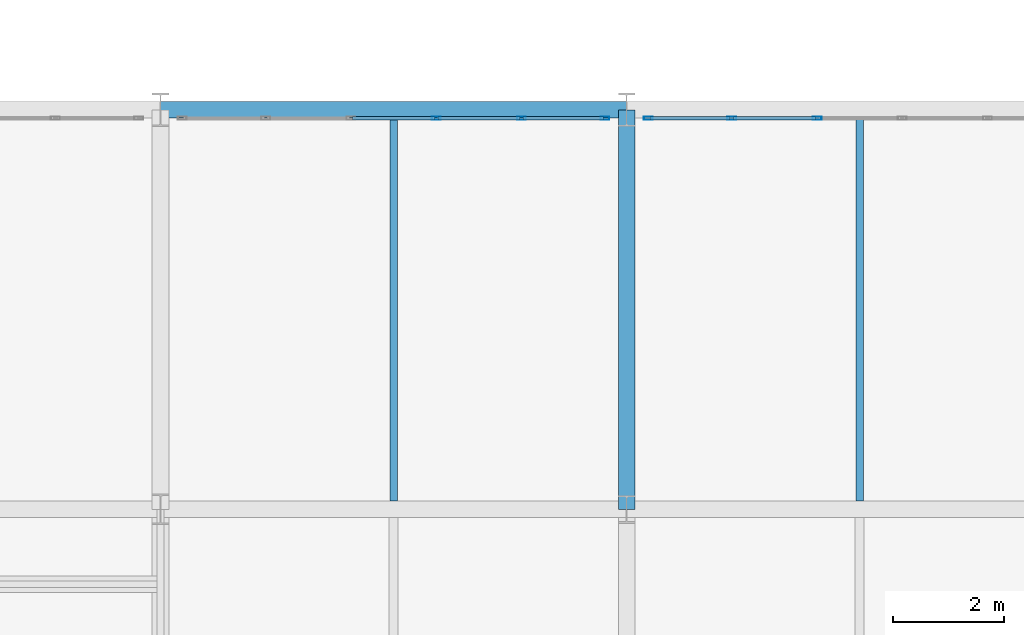
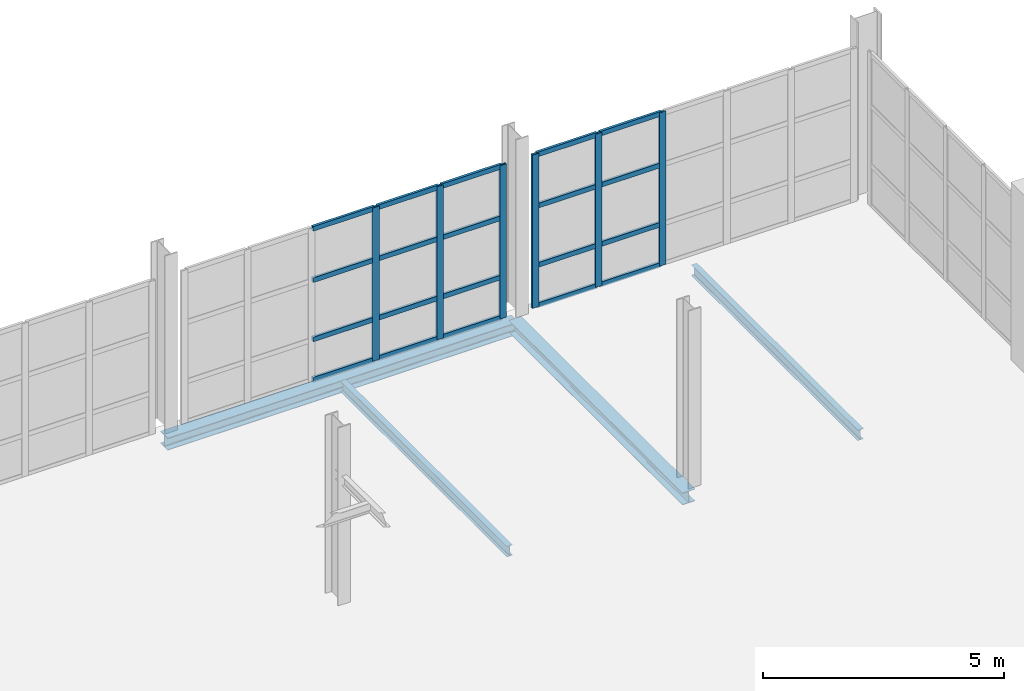
# One storey, part 20 of 109: 26 members, 4 beams, 2 elements without a shape of their own.
"""IFC4 building model written with IfcOpenShell, lengths in metres."""

import ifcopenshell
import ifcopenshell.guid

model = None  # the IFC model being written
_history = None  # IfcOwnerHistory: only IFC2X3 demands one
_inside = {}  # id of a spatial element -> (the spatial element, [elements in it])
_under = {}  # id of a project, library or spatial element -> (it, [spatial elements below it])
_declared = {}  # id of a project -> (the project, [libraries it declares])
_typed = {}  # id of a type object -> (the type object, [elements of that type])
_made_of = {}  # id of a material, layer set ... -> (it, [elements and type objects made of it])


def new_model(schema):
    """Start an empty IFC model of exactly this schema.

    Asked for "IFC4X3", IfcOpenShell would pick the latest addendum, in which some entities
    have other attributes; the version numbers below select the first issue.
    IFC2X3 requires an IfcOwnerHistory on every rooted entity: one is made here for all.
    """
    global model, _history
    if schema == "IFC4X3":
        model = ifcopenshell.file(schema_version=(4, 3, 0, 0))
    else:
        model = ifcopenshell.file(schema=schema)
    _inside.clear()
    _under.clear()
    _declared.clear()
    _typed.clear()
    _made_of.clear()
    _history = None
    if model.schema == "IFC2X3":
        org = make("IfcOrganization", Name="unknown")
        user = make(
            "IfcPersonAndOrganization",
            ThePerson=make("IfcPerson", FamilyName="unknown"),
            TheOrganization=org,
        )
        app = make(
            "IfcApplication",
            ApplicationDeveloper=org,
            Version="unknown",
            ApplicationFullName="unknown",
            ApplicationIdentifier="unknown",
        )
        _history = make(
            "IfcOwnerHistory",
            OwningUser=user,
            OwningApplication=app,
            ChangeAction="ADDED",
            CreationDate=0,
        )
    return model


def make(cls, **values):
    """One entity of the class cls with the attributes given. An attribute that is None is left unset."""
    return model.create_entity(
        cls, **{name: value for name, value in values.items() if value is not None}
    )


def rooted(cls, **values):
    """An entity with a GlobalId (a new one), such as an element, a storey or a relation."""
    return make(cls, GlobalId=ifcopenshell.guid.new(), OwnerHistory=_history, **values)


def si_unit(unit_type, name, prefix=None):
    """IfcSIUnit, for example si_unit("LENGTHUNIT", "METRE", prefix="MILLI")."""
    return make("IfcSIUnit", UnitType=unit_type, Prefix=prefix, Name=name)


def assignment(units):
    """IfcUnitAssignment: the units of a project."""
    return None if units is None else make("IfcUnitAssignment", Units=units)


def point(xyz):
    """IfcCartesianPoint."""
    return None if xyz is None else make("IfcCartesianPoint", Coordinates=xyz)


def direction(xyz):
    """IfcDirection."""
    return None if xyz is None else make("IfcDirection", DirectionRatios=xyz)


def frame(location, z_axis=None, x_axis=None):
    """IfcAxis2Placement3D, a coordinate frame: its origin and axes. An axis left out is left unset."""
    return make(
        "IfcAxis2Placement3D",
        Location=point(location),
        Axis=direction(z_axis),
        RefDirection=direction(x_axis),
    )


def frame_2d(location, x_axis=None):
    """IfcAxis2Placement2D, a coordinate frame in the plane: its origin and x axis."""
    return make(
        "IfcAxis2Placement2D", Location=point(location), RefDirection=direction(x_axis)
    )


def origin():
    """The frame at (0, 0, 0) with its axes left unset."""
    return frame((0.0, 0.0, 0.0))


def origin_2d():
    """The frame at (0, 0) in the plane with its x axis left unset."""
    return frame_2d((0.0, 0.0))


def place(relative_to, where):
    """IfcLocalPlacement: puts the frame where relative to a parent placement (None: the world)."""
    return make(
        "IfcLocalPlacement", PlacementRelTo=relative_to, RelativePlacement=where
    )


def context(
    kind, dimensions, precision=None, world=None, true_north=None, identifier=None
):
    """IfcGeometricRepresentationContext, for example the 3D "Model" context."""
    return make(
        "IfcGeometricRepresentationContext",
        ContextIdentifier=identifier,
        ContextType=kind,
        CoordinateSpaceDimension=dimensions,
        Precision=precision,
        WorldCoordinateSystem=world,
        TrueNorth=true_north,
    )


def subcontext(parent, identifier, kind, view, scale=None):
    """IfcGeometricRepresentationSubContext, for example "Body" below "Model"."""
    return make(
        "IfcGeometricRepresentationSubContext",
        ContextIdentifier=identifier,
        ContextType=kind,
        ParentContext=parent,
        TargetScale=scale,
        TargetView=view,
    )


def project(units=None, contexts=None):
    """IfcProject with its units and contexts."""
    return rooted(
        "IfcProject",
        Name="project",
        RepresentationContexts=contexts,
        UnitsInContext=assignment(units),
    )


def spatial(cls, under=None, at=None, **own):
    """A site, building, storey or space (cls), placed at a placement, below another one or the project."""
    s = rooted(cls, ObjectPlacement=at, **own)
    if under is not None:
        _under.setdefault(under.id(), (under, []))[1].append(s)
    return s


def profile(cls, at=None, kind="AREA", **sizes):
    """A parametric profile (cls). Its sizes go by their IFC names, for example OverallWidth=200.0."""
    return make(cls, ProfileType=kind, Position=at, **sizes)


def hollow_rectangle(**sizes):
    """IfcRectangleHollowProfileDef."""
    return profile("IfcRectangleHollowProfileDef", **sizes)


def i_section(**sizes):
    """IfcIShapeProfileDef."""
    return profile("IfcIShapeProfileDef", **sizes)


def extrude(swept, where, along, depth):
    """IfcExtrudedAreaSolid: the profile swept, set in the frame where, extruded along a direction by depth."""
    return make(
        "IfcExtrudedAreaSolid",
        SweptArea=swept,
        Position=where,
        ExtrudedDirection=direction(along),
        Depth=depth,
    )


def shape(context_of_items, identifier, shape_type, items):
    """IfcShapeRepresentation: the items that make up one representation, for example the "Body"."""
    return make(
        "IfcShapeRepresentation",
        ContextOfItems=context_of_items,
        RepresentationIdentifier=identifier,
        RepresentationType=shape_type,
        Items=items,
    )


def material(Name=None, Category=None):
    """IfcMaterial."""
    return make("IfcMaterial", Name=Name, Category=Category)


def material_profile(
    of_material, cross_section, Name=None, Category=None, Priority=None
):
    """IfcMaterialProfile: a cross section and its material."""
    return make(
        "IfcMaterialProfile",
        Name=Name,
        Material=of_material,
        Profile=cross_section,
        Priority=Priority,
        Category=Category,
    )


def profile_set(profiles, Name=None, composite=None):
    """IfcMaterialProfileSet."""
    return make(
        "IfcMaterialProfileSet",
        Name=Name,
        MaterialProfiles=profiles,
        CompositeProfile=composite,
    )


def made_of(thing, what):
    """Note that an element or type object is made of a material, layer set ...; save() writes the relation."""
    if what is not None:
        _made_of.setdefault(what.id(), (what, []))[1].append(thing)
    return thing


def type_object(cls, material=None, **own):
    """A type object (cls), such as IfcWallType, which elements share."""
    return made_of(rooted(cls, **own), material)


def element(
    cls,
    number,
    at=None,
    inside=None,
    cuts=None,
    type_object=None,
    material=None,
    context=None,
    identifier="Body",
    shape_type=None,
    held_by="IfcProductDefinitionShape",
    body=None,
    shapes=None,
    **own,
):
    """One element of the class cls, such as IfcWall. Its Tag is "e" and its number.

    at: its placement. inside: the storey or other place that contains it. cuts: it is an
    opening in that element (IfcRelVoidsElement). A single representation is given by context,
    identifier, shape_type and body (its items); several are given by shapes. held_by: the class
    of the entity that holds the representations. save() writes the other relations.
    """
    e = rooted(cls, Tag="e%d" % number, ObjectPlacement=at, **own)
    if body is not None:
        shapes = [shape(context, identifier, shape_type, body)]
    if shapes is not None:
        e.Representation = make(held_by, Representations=shapes)
    if inside is not None:
        _inside.setdefault(inside.id(), (inside, []))[1].append(e)
    if cuts is not None:
        rooted(
            "IfcRelVoidsElement", RelatingBuildingElement=cuts, RelatedOpeningElement=e
        )
    if type_object is not None:
        _typed.setdefault(type_object.id(), (type_object, []))[1].append(e)
    return made_of(e, material)


def aggregate(whole, parts):
    """IfcRelAggregates: a whole, such as a stair, and the parts it consists of."""
    return rooted("IfcRelAggregates", RelatingObject=whole, RelatedObjects=parts)


def save(model, path):
    """Write the relations noted so far, then the file.

    IfcRelAggregates (storeys below a building ...), IfcRelContainedInSpatialStructure (elements
    in a storey), IfcRelDefinesByType, IfcRelAssociatesMaterial and IfcRelDeclares: one each for
    every whole, place, type object, material and project.
    """
    for whole, parts in _under.values():
        aggregate(whole, parts)
    for where, things in _inside.values():
        rooted(
            "IfcRelContainedInSpatialStructure",
            RelatedElements=things,
            RelatingStructure=where,
        )
    for kind, things in _typed.values():
        rooted("IfcRelDefinesByType", RelatedObjects=things, RelatingType=kind)
    for what, things in _made_of.values():
        rooted("IfcRelAssociatesMaterial", RelatedObjects=things, RelatingMaterial=what)
    for by, libraries in _declared.values():
        rooted("IfcRelDeclares", RelatingContext=by, RelatedDefinitions=libraries)
    model.write(path)


model = new_model("IFC4")

# Units and contexts
model_context = context("Model", 3, precision=1e-05, world=origin(), true_north=direction((0.0, 1.0)))
body_context = subcontext(model_context, "Body", "Model", "MODEL_VIEW")
ifc_project = project(units=[si_unit("LENGTHUNIT", "METRE"), si_unit("AREAUNIT", "SQUARE_METRE"), si_unit("VOLUMEUNIT", "CUBIC_METRE"), si_unit("PLANEANGLEUNIT", "RADIAN"), si_unit("MASSUNIT", "GRAM", prefix="KILO")], contexts=[model_context])

# Site, building, storey
site_placement = place(None, origin())
site = spatial("IfcSite", under=ifc_project, at=site_placement, CompositionType="ELEMENT")
building_placement = place(site_placement, origin())
building = spatial("IfcBuilding", under=site, at=building_placement, Name="Veltarok Museum of Natural Sciences", CompositionType="ELEMENT")
storey_placement = place(building_placement, frame((0.0, 0.0, 17.39990234375)))
storey = spatial("IfcBuildingStorey", under=building, at=storey_placement, Name="L03", CompositionType="ELEMENT", Elevation=17.39990234375)

# Curtain wall, members
ifc_material_1 = material(Name="Low-iron triple insulated glass", Category="glass")
curtain_wall_type_1 = type_object("IfcCurtainWallType", Name="Curtain Wall System CW-BRG-N-L03-2-768x388 (Bridge North Court L03 2-3 768x388cm)", PredefinedType="NOTDEFINED", material=ifc_material_1)
curtain_wall_1_placement = place(storey_placement, origin())
curtain_wall_1 = element("IfcCurtainWall", 1, at=curtain_wall_1_placement, inside=storey, type_object=curtain_wall_type_1, Name="Curtain Wall CW-BRG-N-L03-2-768x388 CW-0044", PredefinedType="NOTDEFINED")
ifc_material_2 = material(Name="Thermally broken anodised aluminium", Category="aluminium")
ifc_material_profile_1 = material_profile(ifc_material_2, hollow_rectangle(XDim=0.06005859375, YDim=0.1201171875, WallThickness=0.0048828125, at=origin_2d()), Name="CW TRANSOM 60x120x5")
ifc_profile_set_1 = profile_set([ifc_material_profile_1], Name="Thermally broken anodised aluminium")
member_type_1 = type_object("IfcMemberType", Name="Curtain Wall Horizontal Transom 60x120x5", PredefinedType="USERDEFINED", material=ifc_profile_set_1)
member_1_placement = place(storey_placement, frame((22.780029296875, 26.25, 0.030029296875), z_axis=(-1.0, 0.0, 0.0), x_axis=(0.0, -1.0, 0.0)))
member_1 = element("IfcMember", 2, at=member_1_placement, type_object=member_type_1, Name="CW-BRG-N-L03-2-768x388 transom 1.1", ObjectType="TRANSOM", PredefinedType="USERDEFINED", context=body_context, shape_type="SweptSolid", body=[
    extrude(hollow_rectangle(XDim=0.06005859375, YDim=0.1201171875, WallThickness=0.0048828125, at=origin_2d()), origin(), (0.0, 0.0, 1.0), 1.446044921875),
])
member_2_placement = place(storey_placement, frame((22.780029296875, 26.25, 1.050048828125), z_axis=(-1.0, 0.0, 0.0), x_axis=(0.0, -1.0, 0.0)))
member_2 = element("IfcMember", 3, at=member_2_placement, type_object=member_type_1, Name="CW-BRG-N-L03-2-768x388 transom 1.2", ObjectType="TRANSOM", PredefinedType="USERDEFINED", context=body_context, shape_type="SweptSolid", body=[
    extrude(hollow_rectangle(XDim=0.06005859375, YDim=0.1201171875, WallThickness=0.0048828125, at=origin_2d()), origin(), (0.0, 0.0, 1.0), 1.446044921875),
])
member_3_placement = place(storey_placement, frame((22.780029296875, 26.25, 2.550048828125), z_axis=(-1.0, 0.0, 0.0), x_axis=(0.0, -1.0, 0.0)))
member_3 = element("IfcMember", 4, at=member_3_placement, type_object=member_type_1, Name="CW-BRG-N-L03-2-768x388 transom 1.3", ObjectType="TRANSOM", PredefinedType="USERDEFINED", context=body_context, shape_type="SweptSolid", body=[
    extrude(hollow_rectangle(XDim=0.06005859375, YDim=0.1201171875, WallThickness=0.0048828125, at=origin_2d()), origin(), (0.0, 0.0, 1.0), 1.446044921875),
])
member_4_placement = place(storey_placement, frame((22.780029296875, 26.25, 3.85009765625), z_axis=(-1.0, 0.0, 0.0), x_axis=(0.0, -1.0, 0.0)))
member_4 = element("IfcMember", 5, at=member_4_placement, type_object=member_type_1, Name="CW-BRG-N-L03-2-768x388 transom 1.4", ObjectType="TRANSOM", PredefinedType="USERDEFINED", context=body_context, shape_type="SweptSolid", body=[
    extrude(hollow_rectangle(XDim=0.06005859375, YDim=0.1201171875, WallThickness=0.0048828125, at=origin_2d()), origin(), (0.0, 0.0, 1.0), 1.446044921875),
])
member_5_placement = place(storey_placement, frame((21.27392578125, 26.25, 0.030029296875), z_axis=(-1.0, 0.0, 0.0), x_axis=(0.0, -1.0, 0.0)))
member_5 = element("IfcMember", 6, at=member_5_placement, type_object=member_type_1, Name="CW-BRG-N-L03-2-768x388 transom 2.1", ObjectType="TRANSOM", PredefinedType="USERDEFINED", context=body_context, shape_type="SweptSolid", body=[
    extrude(hollow_rectangle(XDim=0.06005859375, YDim=0.1201171875, WallThickness=0.0048828125, at=origin_2d()), origin(), (0.0, 0.0, 1.0), 1.475830078125),
])
member_6_placement = place(storey_placement, frame((21.27392578125, 26.25, 1.050048828125), z_axis=(-1.0, 0.0, 0.0), x_axis=(0.0, -1.0, 0.0)))
member_6 = element("IfcMember", 7, at=member_6_placement, type_object=member_type_1, Name="CW-BRG-N-L03-2-768x388 transom 2.2", ObjectType="TRANSOM", PredefinedType="USERDEFINED", context=body_context, shape_type="SweptSolid", body=[
    extrude(hollow_rectangle(XDim=0.06005859375, YDim=0.1201171875, WallThickness=0.0048828125, at=origin_2d()), origin(), (0.0, 0.0, 1.0), 1.475830078125),
])
member_7_placement = place(storey_placement, frame((21.27392578125, 26.25, 2.550048828125), z_axis=(-1.0, 0.0, 0.0), x_axis=(0.0, -1.0, 0.0)))
member_7 = element("IfcMember", 8, at=member_7_placement, type_object=member_type_1, Name="CW-BRG-N-L03-2-768x388 transom 2.3", ObjectType="TRANSOM", PredefinedType="USERDEFINED", context=body_context, shape_type="SweptSolid", body=[
    extrude(hollow_rectangle(XDim=0.06005859375, YDim=0.1201171875, WallThickness=0.0048828125, at=origin_2d()), origin(), (0.0, 0.0, 1.0), 1.475830078125),
])
member_8_placement = place(storey_placement, frame((21.27392578125, 26.25, 3.85009765625), z_axis=(-1.0, 0.0, 0.0), x_axis=(0.0, -1.0, 0.0)))
member_8 = element("IfcMember", 9, at=member_8_placement, type_object=member_type_1, Name="CW-BRG-N-L03-2-768x388 transom 2.4", ObjectType="TRANSOM", PredefinedType="USERDEFINED", context=body_context, shape_type="SweptSolid", body=[
    extrude(hollow_rectangle(XDim=0.06005859375, YDim=0.1201171875, WallThickness=0.0048828125, at=origin_2d()), origin(), (0.0, 0.0, 1.0), 1.475830078125),
])
member_9_placement = place(storey_placement, frame((19.738037109375, 26.25, 0.030029296875), z_axis=(-1.0, 0.0, 0.0), x_axis=(0.0, -1.0, 0.0)))
member_9 = element("IfcMember", 10, at=member_9_placement, type_object=member_type_1, Name="CW-BRG-N-L03-2-768x388 transom 3.1", ObjectType="TRANSOM", PredefinedType="USERDEFINED", context=body_context, shape_type="SweptSolid", body=[
    extrude(hollow_rectangle(XDim=0.06005859375, YDim=0.1201171875, WallThickness=0.0048828125, at=origin_2d()), origin(), (0.0, 0.0, 1.0), 1.47607421875),
])
member_10_placement = place(storey_placement, frame((19.738037109375, 26.25, 1.050048828125), z_axis=(-1.0, 0.0, 0.0), x_axis=(0.0, -1.0, 0.0)))
member_10 = element("IfcMember", 11, at=member_10_placement, type_object=member_type_1, Name="CW-BRG-N-L03-2-768x388 transom 3.2", ObjectType="TRANSOM", PredefinedType="USERDEFINED", context=body_context, shape_type="SweptSolid", body=[
    extrude(hollow_rectangle(XDim=0.06005859375, YDim=0.1201171875, WallThickness=0.0048828125, at=origin_2d()), origin(), (0.0, 0.0, 1.0), 1.47607421875),
])
member_11_placement = place(storey_placement, frame((19.738037109375, 26.25, 2.550048828125), z_axis=(-1.0, 0.0, 0.0), x_axis=(0.0, -1.0, 0.0)))
member_11 = element("IfcMember", 12, at=member_11_placement, type_object=member_type_1, Name="CW-BRG-N-L03-2-768x388 transom 3.3", ObjectType="TRANSOM", PredefinedType="USERDEFINED", context=body_context, shape_type="SweptSolid", body=[
    extrude(hollow_rectangle(XDim=0.06005859375, YDim=0.1201171875, WallThickness=0.0048828125, at=origin_2d()), origin(), (0.0, 0.0, 1.0), 1.47607421875),
])
member_12_placement = place(storey_placement, frame((19.738037109375, 26.25, 3.85009765625), z_axis=(-1.0, 0.0, 0.0), x_axis=(0.0, -1.0, 0.0)))
member_12 = element("IfcMember", 13, at=member_12_placement, type_object=member_type_1, Name="CW-BRG-N-L03-2-768x388 transom 3.4", ObjectType="TRANSOM", PredefinedType="USERDEFINED", context=body_context, shape_type="SweptSolid", body=[
    extrude(hollow_rectangle(XDim=0.06005859375, YDim=0.1201171875, WallThickness=0.0048828125, at=origin_2d()), origin(), (0.0, 0.0, 1.0), 1.47607421875),
])

curtain_wall_type_2 = type_object("IfcCurtainWallType", Name="Curtain Wall System CW-BRG-N-L03-3-768x388 (Bridge North Court L03 3-4 768x388cm)", PredefinedType="NOTDEFINED", material=ifc_material_1)
curtain_wall_2_placement = place(storey_placement, origin())
curtain_wall_2 = element("IfcCurtainWall", 14, at=curtain_wall_2_placement, inside=storey, type_object=curtain_wall_type_2, Name="Curtain Wall CW-BRG-N-L03-3-768x388 CW-0045", PredefinedType="NOTDEFINED")
member_13_placement = place(storey_placement, frame((26.60205078125, 26.25, 0.030029296875), z_axis=(-1.0, 0.0, 0.0), x_axis=(0.0, -1.0, 0.0)))
member_13 = element("IfcMember", 15, at=member_13_placement, type_object=member_type_1, Name="CW-BRG-N-L03-3-768x388 transom 4.1", ObjectType="TRANSOM", PredefinedType="USERDEFINED", context=body_context, shape_type="SweptSolid", body=[
    extrude(hollow_rectangle(XDim=0.06005859375, YDim=0.1201171875, WallThickness=0.0048828125, at=origin_2d()), origin(), (0.0, 0.0, 1.0), 1.47607421875),
])
member_14_placement = place(storey_placement, frame((26.60205078125, 26.25, 1.050048828125), z_axis=(-1.0, 0.0, 0.0), x_axis=(0.0, -1.0, 0.0)))
member_14 = element("IfcMember", 16, at=member_14_placement, type_object=member_type_1, Name="CW-BRG-N-L03-3-768x388 transom 4.2", ObjectType="TRANSOM", PredefinedType="USERDEFINED", context=body_context, shape_type="SweptSolid", body=[
    extrude(hollow_rectangle(XDim=0.06005859375, YDim=0.1201171875, WallThickness=0.0048828125, at=origin_2d()), origin(), (0.0, 0.0, 1.0), 1.47607421875),
])
member_15_placement = place(storey_placement, frame((26.60205078125, 26.25, 2.550048828125), z_axis=(-1.0, 0.0, 0.0), x_axis=(0.0, -1.0, 0.0)))
member_15 = element("IfcMember", 17, at=member_15_placement, type_object=member_type_1, Name="CW-BRG-N-L03-3-768x388 transom 4.3", ObjectType="TRANSOM", PredefinedType="USERDEFINED", context=body_context, shape_type="SweptSolid", body=[
    extrude(hollow_rectangle(XDim=0.06005859375, YDim=0.1201171875, WallThickness=0.0048828125, at=origin_2d()), origin(), (0.0, 0.0, 1.0), 1.47607421875),
])
member_16_placement = place(storey_placement, frame((26.60205078125, 26.25, 3.85009765625), z_axis=(-1.0, 0.0, 0.0), x_axis=(0.0, -1.0, 0.0)))
member_16 = element("IfcMember", 18, at=member_16_placement, type_object=member_type_1, Name="CW-BRG-N-L03-3-768x388 transom 4.4", ObjectType="TRANSOM", PredefinedType="USERDEFINED", context=body_context, shape_type="SweptSolid", body=[
    extrude(hollow_rectangle(XDim=0.06005859375, YDim=0.1201171875, WallThickness=0.0048828125, at=origin_2d()), origin(), (0.0, 0.0, 1.0), 1.47607421875),
])
member_17_placement = place(storey_placement, frame((25.06591796875, 26.25, 0.030029296875), z_axis=(-1.0, 0.0, 0.0), x_axis=(0.0, -1.0, 0.0)))
member_17 = element("IfcMember", 19, at=member_17_placement, type_object=member_type_1, Name="CW-BRG-N-L03-3-768x388 transom 5.1", ObjectType="TRANSOM", PredefinedType="USERDEFINED", context=body_context, shape_type="SweptSolid", body=[
    extrude(hollow_rectangle(XDim=0.06005859375, YDim=0.1201171875, WallThickness=0.0048828125, at=origin_2d()), origin(), (0.0, 0.0, 1.0), 1.44580078125),
])
member_18_placement = place(storey_placement, frame((25.06591796875, 26.25, 1.050048828125), z_axis=(-1.0, 0.0, 0.0), x_axis=(0.0, -1.0, 0.0)))
member_18 = element("IfcMember", 20, at=member_18_placement, type_object=member_type_1, Name="CW-BRG-N-L03-3-768x388 transom 5.2", ObjectType="TRANSOM", PredefinedType="USERDEFINED", context=body_context, shape_type="SweptSolid", body=[
    extrude(hollow_rectangle(XDim=0.06005859375, YDim=0.1201171875, WallThickness=0.0048828125, at=origin_2d()), origin(), (0.0, 0.0, 1.0), 1.44580078125),
])
member_19_placement = place(storey_placement, frame((25.06591796875, 26.25, 2.550048828125), z_axis=(-1.0, 0.0, 0.0), x_axis=(0.0, -1.0, 0.0)))
member_19 = element("IfcMember", 21, at=member_19_placement, type_object=member_type_1, Name="CW-BRG-N-L03-3-768x388 transom 5.3", ObjectType="TRANSOM", PredefinedType="USERDEFINED", context=body_context, shape_type="SweptSolid", body=[
    extrude(hollow_rectangle(XDim=0.06005859375, YDim=0.1201171875, WallThickness=0.0048828125, at=origin_2d()), origin(), (0.0, 0.0, 1.0), 1.44580078125),
])
member_20_placement = place(storey_placement, frame((25.06591796875, 26.25, 3.85009765625), z_axis=(-1.0, 0.0, 0.0), x_axis=(0.0, -1.0, 0.0)))
member_20 = element("IfcMember", 22, at=member_20_placement, type_object=member_type_1, Name="CW-BRG-N-L03-3-768x388 transom 5.4", ObjectType="TRANSOM", PredefinedType="USERDEFINED", context=body_context, shape_type="SweptSolid", body=[
    extrude(hollow_rectangle(XDim=0.06005859375, YDim=0.1201171875, WallThickness=0.0048828125, at=origin_2d()), origin(), (0.0, 0.0, 1.0), 1.44580078125),
])

# Member
ifc_material_profile_2 = material_profile(ifc_material_2, hollow_rectangle(XDim=0.06005859375, YDim=0.159912109375, WallThickness=0.0048828125, at=origin_2d()), Name="CW MULLION 60x160x5")
ifc_profile_set_2 = profile_set([ifc_material_profile_2], Name="Thermally broken anodised aluminium")
member_type_2 = type_object("IfcMemberType", Name="Curtain Wall Vertical Mullion 60x160x5", PredefinedType="MULLION", material=ifc_profile_set_2)
member_21_placement = place(storey_placement, frame((22.81005859375, 26.25, 0.0), z_axis=(0.0, 0.0, 1.0), x_axis=(0.0, -1.0, 0.0)))
member_21 = element("IfcMember", 23, at=member_21_placement, type_object=member_type_2, Name="CW-BRG-N-L03-2-768x388 mullion 1", PredefinedType="MULLION", context=body_context, shape_type="SweptSolid", body=[
    extrude(hollow_rectangle(XDim=0.06005859375, YDim=0.159912109375, WallThickness=0.0048828125, at=origin_2d()), origin(), (0.0, 0.0, 1.0), 3.880126953125),
])

member_22_placement = place(storey_placement, frame((21.303955078125, 26.25, 0.0), z_axis=(0.0, 0.0, 1.0), x_axis=(0.0, -1.0, 0.0)))
member_22 = element("IfcMember", 24, at=member_22_placement, type_object=member_type_2, Name="CW-BRG-N-L03-2-768x388 mullion 2", PredefinedType="MULLION", context=body_context, shape_type="SweptSolid", body=[
    extrude(hollow_rectangle(XDim=0.06005859375, YDim=0.159912109375, WallThickness=0.0048828125, at=origin_2d()), origin(), (0.0, 0.0, 1.0), 3.880126953125),
])

member_23_placement = place(storey_placement, frame((19.76806640625, 26.25, 0.0), z_axis=(0.0, 0.0, 1.0), x_axis=(0.0, -1.0, 0.0)))
member_23 = element("IfcMember", 25, at=member_23_placement, type_object=member_type_2, Name="CW-BRG-N-L03-2-768x388 mullion 3", PredefinedType="MULLION", context=body_context, shape_type="SweptSolid", body=[
    extrude(hollow_rectangle(XDim=0.06005859375, YDim=0.159912109375, WallThickness=0.0048828125, at=origin_2d()), origin(), (0.0, 0.0, 1.0), 3.880126953125),
])

aggregate(curtain_wall_1, [member_21, member_22, member_23, member_1, member_2, member_3, member_4, member_5, member_6, member_7, member_8, member_9, member_10, member_11, member_12])

member_24_placement = place(storey_placement, frame((26.632080078125, 26.25, 0.0), z_axis=(0.0, 0.0, 1.0), x_axis=(0.0, -1.0, 0.0)))
member_24 = element("IfcMember", 26, at=member_24_placement, type_object=member_type_2, Name="CW-BRG-N-L03-3-768x388 mullion 4", PredefinedType="MULLION", context=body_context, shape_type="SweptSolid", body=[
    extrude(hollow_rectangle(XDim=0.06005859375, YDim=0.159912109375, WallThickness=0.0048828125, at=origin_2d()), origin(), (0.0, 0.0, 1.0), 3.880126953125),
])

member_25_placement = place(storey_placement, frame((25.095947265625, 26.25, 0.0), z_axis=(0.0, 0.0, 1.0), x_axis=(0.0, -1.0, 0.0)))
member_25 = element("IfcMember", 27, at=member_25_placement, type_object=member_type_2, Name="CW-BRG-N-L03-3-768x388 mullion 5", PredefinedType="MULLION", context=body_context, shape_type="SweptSolid", body=[
    extrude(hollow_rectangle(XDim=0.06005859375, YDim=0.159912109375, WallThickness=0.0048828125, at=origin_2d()), origin(), (0.0, 0.0, 1.0), 3.880126953125),
])

member_26_placement = place(storey_placement, frame((23.590087890625, 26.25, 0.0), z_axis=(0.0, 0.0, 1.0), x_axis=(0.0, -1.0, 0.0)))
member_26 = element("IfcMember", 28, at=member_26_placement, type_object=member_type_2, Name="CW-BRG-N-L03-3-768x388 mullion 6", PredefinedType="MULLION", context=body_context, shape_type="SweptSolid", body=[
    extrude(hollow_rectangle(XDim=0.06005859375, YDim=0.159912109375, WallThickness=0.0048828125, at=origin_2d()), origin(), (0.0, 0.0, 1.0), 3.880126953125),
])

aggregate(curtain_wall_2, [member_24, member_25, member_26, member_13, member_14, member_15, member_16, member_17, member_18, member_19, member_20])

# Beams
ifc_material_3 = material(Name="Steel S355J2", Category="steel")
ifc_material_profile_3 = material_profile(ifc_material_3, i_section(OverallWidth=0.300048828125, OverallDepth=0.31005859375, WebThickness=0.009033203125, FlangeThickness=0.015380859375, FilletRadius=0.027099609375, at=origin_2d()), Name="HEA 320")
ifc_profile_set_3 = profile_set([ifc_material_profile_3], Name="Steel S355J2")
beam_type_1 = type_object("IfcBeamType", Name="Perimeter Edge Spandrel HEA 320", PredefinedType="SPANDREL", material=ifc_profile_set_3)
beam_1_placement = place(storey_placement, frame((14.800048828125, 26.39990234375, -0.40478515625), z_axis=(1.0, 0.0, 0.0), x_axis=(0.0, 1.0, 0.0)))
element("IfcBeam", 29, at=beam_1_placement, inside=storey, type_object=beam_type_1, Name="Beam BM-SP04 L03 2-3/D", PredefinedType="SPANDREL", context=body_context, shape_type="SweptSolid", body=[
    extrude(i_section(OverallWidth=0.300048828125, OverallDepth=0.31005859375, WebThickness=0.009033203125, FlangeThickness=0.015380859375, FilletRadius=0.027099609375, at=origin_2d()), origin(), (0.0, 0.0, 1.0), 8.39990234375),
])
beam_2_placement = place(storey_placement, frame((23.199951171875, 19.199951171875, -0.40478515625), z_axis=(0.0, 1.0, 0.0), x_axis=(-1.0, 0.0, 0.0)))
element("IfcBeam", 30, at=beam_2_placement, inside=storey, type_object=beam_type_1, Name="Beam BM-SP04 L03 3/C-D", PredefinedType="SPANDREL", context=body_context, shape_type="SweptSolid", body=[
    extrude(i_section(OverallWidth=0.300048828125, OverallDepth=0.31005859375, WebThickness=0.009033203125, FlangeThickness=0.015380859375, FilletRadius=0.027099609375, at=origin_2d()), origin(), (0.0, 0.0, 1.0), 7.199951171875),
])
ifc_material_profile_4 = material_profile(ifc_material_3, i_section(OverallWidth=0.135009765625, OverallDepth=0.27001953125, WebThickness=0.006591796875, FlangeThickness=0.01025390625, FilletRadius=0.014892578125, at=origin_2d()), Name="IPE 270")
ifc_profile_set_4 = profile_set([ifc_material_profile_4], Name="Steel S355J2")
beam_type_2 = type_object("IfcBeamType", Name="Short-Bay Composite Joist IPE 270", PredefinedType="JOIST", material=ifc_profile_set_4)
for number, where, z_axis, x_axis, name in (
    (31, (19.0, 19.347900390625, -0.385009765625), (0.0, 1.0, 0.0), (-1.0, 0.0, 0.0), "Secondary Joist BM-J04 L03 2-3/C-D.1"),
    (32, (27.39990234375, 19.347900390625, -0.385009765625), (0.0, 1.0, 0.0), (-1.0, 0.0, 0.0), "Secondary Joist BM-J04 L03 3-4/C-D.1"),
):
    element("IfcBeam", number, at=place(storey_placement, frame(where, z_axis=z_axis, x_axis=x_axis)), inside=storey, type_object=beam_type_2, Name=name, PredefinedType="JOIST", context=body_context, shape_type="SweptSolid", body=[
        extrude(i_section(OverallWidth=0.135009765625, OverallDepth=0.27001953125, WebThickness=0.006591796875, FlangeThickness=0.01025390625, FilletRadius=0.014892578125, at=origin_2d()), origin(), (0.0, 0.0, 1.0), 6.904052734375),
    ])

save(model, "model.ifc")
